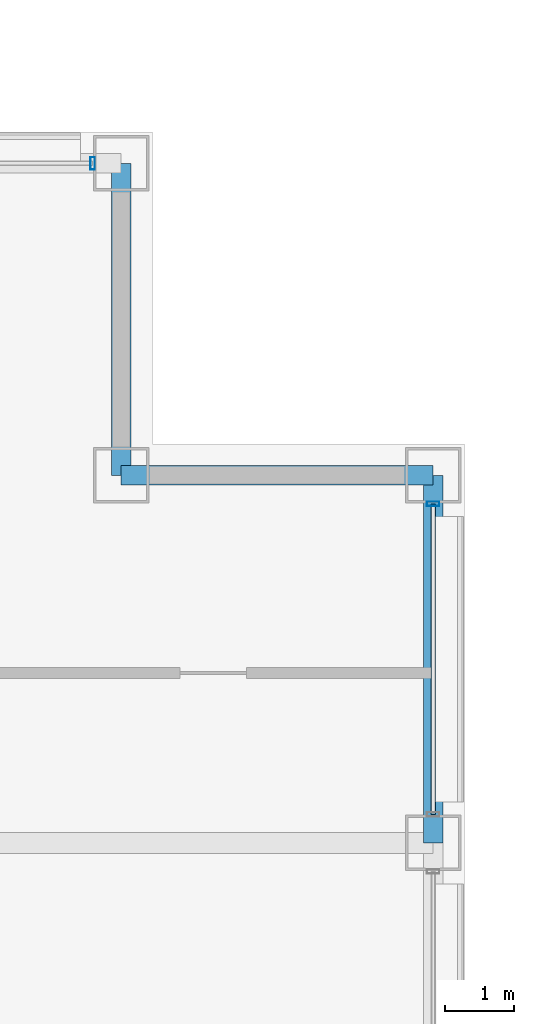
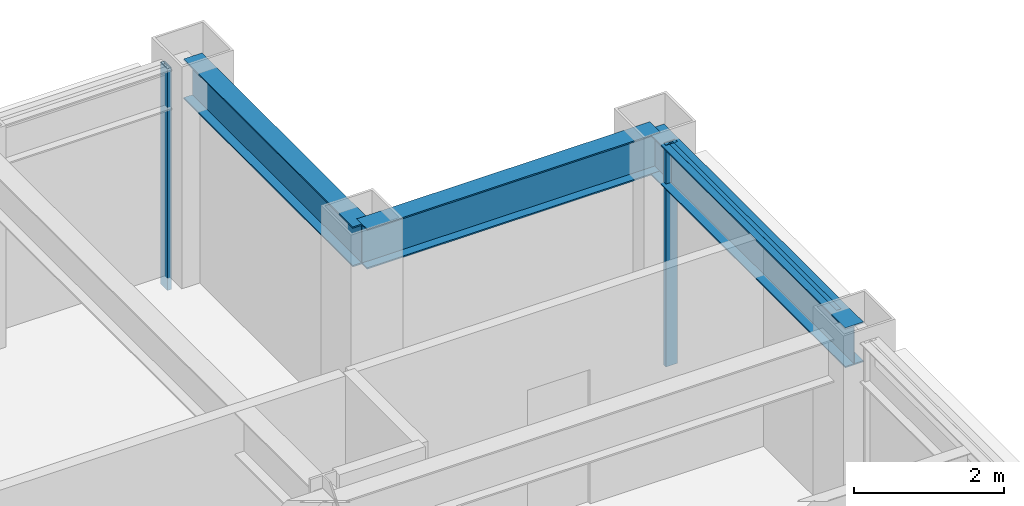
# One storey, part 22 of 29: 3 beams, 3 members, 2 elements without a shape of their own.
"""IFC4 building model written with IfcOpenShell, lengths in metres."""

from ifc_helpers import new_model, si_unit, direction, frame, origin, origin_2d, place, context, subcontext, project, spatial, hollow_rectangle, i_section, extrude, material, layer, layer_set, material_profile, profile_set, type_object, element, aggregate, save


model = new_model("IFC4")

# Units and contexts
model_context = context("Model", 3, precision=1e-05, world=origin(), true_north=direction((0.0, 1.0)))
body_context = subcontext(model_context, "Body", "Model", "MODEL_VIEW")
ifc_project = project(units=[si_unit("LENGTHUNIT", "METRE"), si_unit("AREAUNIT", "SQUARE_METRE"), si_unit("VOLUMEUNIT", "CUBIC_METRE"), si_unit("PLANEANGLEUNIT", "RADIAN"), si_unit("MASSUNIT", "GRAM", prefix="KILO")], contexts=[model_context])

# Site, building, storey
site_placement = place(None, origin())
site = spatial("IfcSite", under=ifc_project, at=site_placement, CompositionType="ELEMENT")
building_placement = place(site_placement, origin())
building = spatial("IfcBuilding", under=site, at=building_placement, Name="Brelmoor Portico Tower", CompositionType="ELEMENT")
storey_placement = place(building_placement, frame((0.0, 0.0, 124.199951171875)))
storey = spatial("IfcBuildingStorey", under=building, at=storey_placement, Name="L32", CompositionType="ELEMENT", Elevation=124.199951171875)

# Beams
ifc_material_1 = material(Name="Steel Q355B", Category="steel")
ifc_material_profile_1 = material_profile(ifc_material_1, i_section(OverallWidth=0.280029296875, OverallDepth=0.64990234375, WebThickness=0.012939453125, FlangeThickness=0.02197265625, at=origin_2d()), Name="HN 650x280x13x22")
ifc_profile_set_1 = profile_set([ifc_material_profile_1], Name="Steel Q355B")
beam_type = type_object("IfcBeamType", Name="BM-SP-650", PredefinedType="SPANDREL", material=ifc_profile_set_1)
for number, where, z_axis, x_axis, name in (
    (1, (18.050048828125, 15.050048828125, 3.074951171875), (1.0, 0.0, 0.0), (0.0, 1.0, 0.0), "L32 Perimeter Spandrel Beam SP-09"),
    (2, (18.050048828125, 15.050048828125, 3.074951171875), (0.0, 1.0, 0.0), (-1.0, 0.0, 0.0), "L32 Perimeter Spandrel Beam SP-21"),
):
    element("IfcBeam", number, at=place(storey_placement, frame(where, z_axis=z_axis, x_axis=x_axis)), inside=storey, type_object=beam_type, Name=name, PredefinedType="SPANDREL", context=body_context, shape_type="SweptSolid", body=[
        extrude(i_section(OverallWidth=0.280029296875, OverallDepth=0.64990234375, WebThickness=0.012939453125, FlangeThickness=0.02197265625, at=origin_2d()), origin(), (0.0, 0.0, 1.0), 4.5),
    ])
beam_placement = place(storey_placement, frame((22.550048828125, 9.75, 3.074951171875), z_axis=(0.0, 1.0, 0.0), x_axis=(-1.0, 0.0, 0.0)))
element("IfcBeam", 3, at=beam_placement, inside=storey, type_object=beam_type, Name="L32 Perimeter Spandrel Beam SP-24", PredefinedType="SPANDREL", context=body_context, shape_type="SweptSolid", body=[
    extrude(i_section(OverallWidth=0.280029296875, OverallDepth=0.64990234375, WebThickness=0.012939453125, FlangeThickness=0.02197265625, at=origin_2d()), origin(), (0.0, 0.0, 1.0), 5.300048828125),
])

# Curtain wall, member
ifc_material_2 = material(Name="Anodised Aluminium Alloy 6063-T6", Category="aluminium")
ifc_layer = layer(ifc_material_2, 0.179931640625)
ifc_layer_set = layer_set([ifc_layer], Name="Anodised Aluminium Alloy 6063-T6")
curtain_wall_type = type_object("IfcCurtainWallType", Name="CW-TOWER-Z2-XB", PredefinedType="NOTDEFINED", material=ifc_layer_set)
curtain_wall_1_placement = place(storey_placement, origin())
curtain_wall_1 = element("IfcCurtainWall", 4, at=curtain_wall_1_placement, inside=storey, type_object=curtain_wall_type, Name="L32 Curtain Wall CW-L32-2R-3", PredefinedType="NOTDEFINED")
ifc_material_profile_2 = material_profile(ifc_material_2, hollow_rectangle(XDim=0.06494140625, YDim=0.179931640625, WallThickness=0.00390625, at=origin_2d()), Name="ALU MULLION 65x180")
ifc_profile_set_2 = profile_set([ifc_material_profile_2], Name="Anodised Aluminium Alloy 6063-T6")
member_type_1 = type_object("IfcMemberType", Name="MB-CW-MULL-180", PredefinedType="MULLION", material=ifc_profile_set_2)
member_1_placement = place(storey_placement, frame((17.639892578125, 19.550048828125, -0.199951171875), z_axis=(0.0, 0.0, 1.0), x_axis=(1.0, 0.0, 0.0)))
member_1 = element("IfcMember", 5, at=member_1_placement, type_object=member_type_1, Name="CW-L32-2R-3 Mullion 01", PredefinedType="MULLION", context=body_context, shape_type="SweptSolid", body=[
    extrude(hollow_rectangle(XDim=0.06494140625, YDim=0.179931640625, WallThickness=0.00390625, at=origin_2d()), origin(), (0.0, 0.0, 1.0), 3.60009765625),
])
aggregate(curtain_wall_1, [member_1])

# Curtain wall, members
curtain_wall_2_placement = place(storey_placement, origin())
curtain_wall_2 = element("IfcCurtainWall", 6, at=curtain_wall_2_placement, inside=storey, type_object=curtain_wall_type, Name="L32 Curtain Wall CW-L32-4R-2", PredefinedType="NOTDEFINED")
member_2_placement = place(storey_placement, frame((22.550048828125, 14.639892578125, -0.199951171875), z_axis=(0.0, 0.0, 1.0), x_axis=(0.0, 1.0, 0.0)))
member_2 = element("IfcMember", 7, at=member_2_placement, type_object=member_type_1, Name="CW-L32-4R-2 Mullion 01", PredefinedType="MULLION", context=body_context, shape_type="SweptSolid", body=[
    extrude(hollow_rectangle(XDim=0.06494140625, YDim=0.179931640625, WallThickness=0.00390625, at=origin_2d()), origin(), (0.0, 0.0, 1.0), 3.60009765625),
])
ifc_material_profile_3 = material_profile(ifc_material_2, hollow_rectangle(XDim=0.06494140625, YDim=0.139892578125, WallThickness=0.00390625, at=origin_2d()), Name="ALU TRANSOM 65x140")
ifc_profile_set_3 = profile_set([ifc_material_profile_3], Name="Anodised Aluminium Alloy 6063-T6")
member_type_2 = type_object("IfcMemberType", Name="MB-CW-TRAN-140", PredefinedType="USERDEFINED", material=ifc_profile_set_3)
member_3_placement = place(storey_placement, frame((22.550048828125, 10.159912109375, 3.330078125), z_axis=(0.0, 1.0, 0.0), x_axis=(-1.0, 0.0, 0.0)))
member_3 = element("IfcMember", 8, at=member_3_placement, type_object=member_type_2, Name="CW-L32-4R-2 Transom 1-00", ObjectType="TRANSOM", PredefinedType="USERDEFINED", context=body_context, shape_type="SweptSolid", body=[
    extrude(hollow_rectangle(XDim=0.06494140625, YDim=0.139892578125, WallThickness=0.00390625, at=origin_2d()), origin(), (0.0, 0.0, 1.0), 4.47998046875),
])
aggregate(curtain_wall_2, [member_2, member_3])

save(model, "model.ifc")
